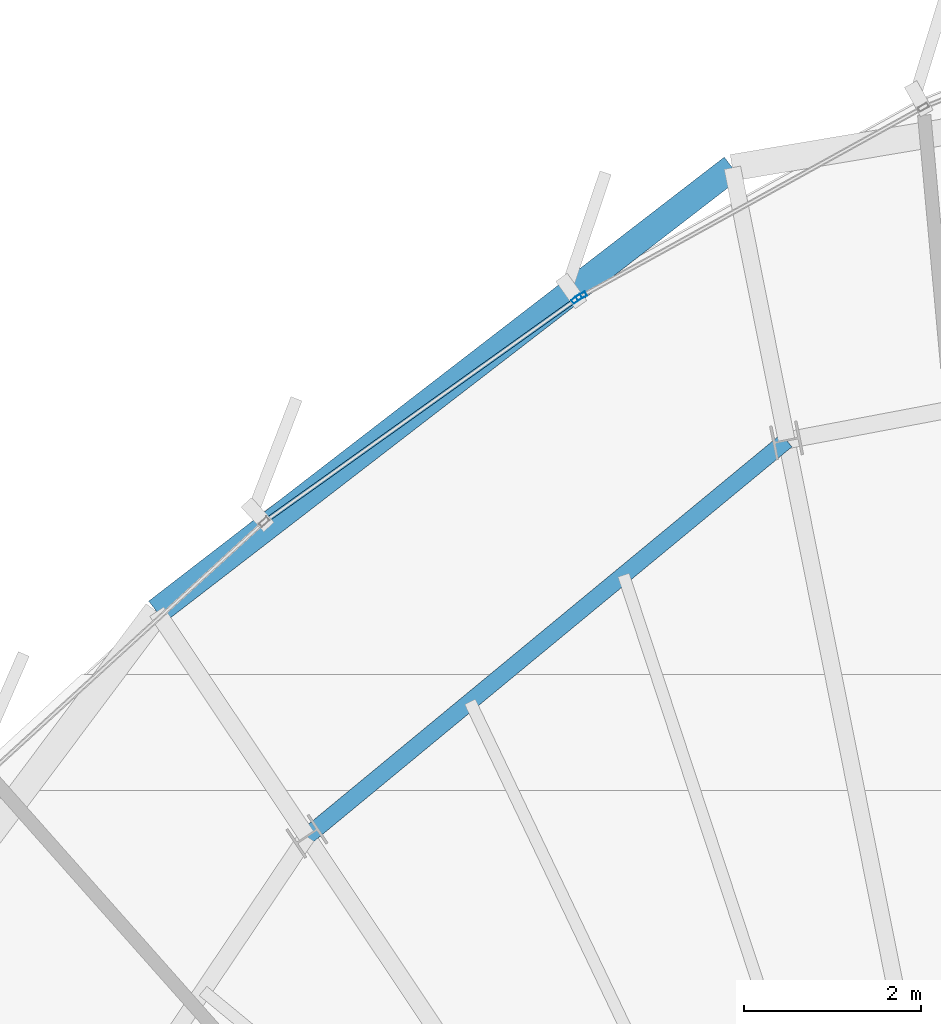
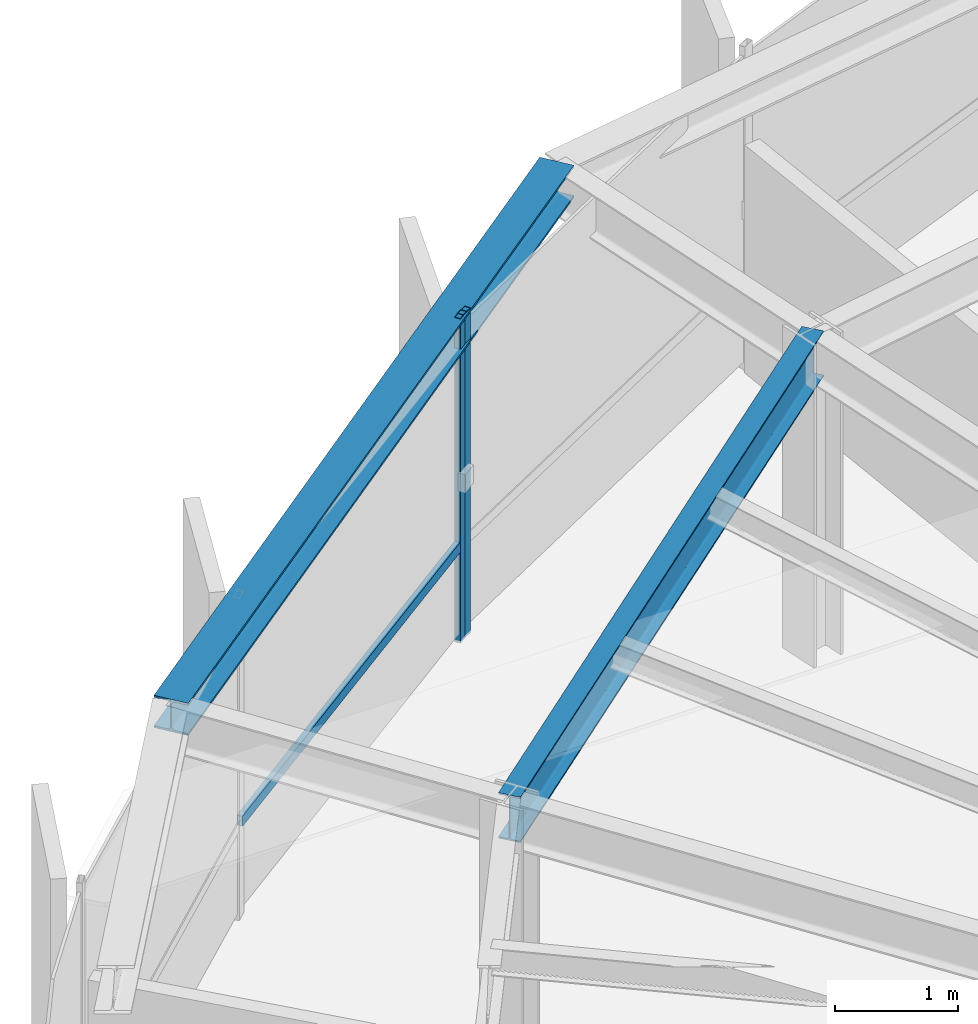
# One storey, part 19 of 32: 3 members, 2 beams, 2 elements without a shape of their own.
"""IFC4 building model written with IfcOpenShell, lengths in metres."""

import ifcopenshell
import ifcopenshell.guid

model = None  # the IFC model being written
_history = None  # IfcOwnerHistory: only IFC2X3 demands one
_inside = {}  # id of a spatial element -> (the spatial element, [elements in it])
_under = {}  # id of a project, library or spatial element -> (it, [spatial elements below it])
_declared = {}  # id of a project -> (the project, [libraries it declares])
_typed = {}  # id of a type object -> (the type object, [elements of that type])
_made_of = {}  # id of a material, layer set ... -> (it, [elements and type objects made of it])


def new_model(schema):
    """Start an empty IFC model of exactly this schema.

    Asked for "IFC4X3", IfcOpenShell would pick the latest addendum, in which some entities
    have other attributes; the version numbers below select the first issue.
    IFC2X3 requires an IfcOwnerHistory on every rooted entity: one is made here for all.
    """
    global model, _history
    if schema == "IFC4X3":
        model = ifcopenshell.file(schema_version=(4, 3, 0, 0))
    else:
        model = ifcopenshell.file(schema=schema)
    _inside.clear()
    _under.clear()
    _declared.clear()
    _typed.clear()
    _made_of.clear()
    _history = None
    if model.schema == "IFC2X3":
        org = make("IfcOrganization", Name="unknown")
        user = make(
            "IfcPersonAndOrganization",
            ThePerson=make("IfcPerson", FamilyName="unknown"),
            TheOrganization=org,
        )
        app = make(
            "IfcApplication",
            ApplicationDeveloper=org,
            Version="unknown",
            ApplicationFullName="unknown",
            ApplicationIdentifier="unknown",
        )
        _history = make(
            "IfcOwnerHistory",
            OwningUser=user,
            OwningApplication=app,
            ChangeAction="ADDED",
            CreationDate=0,
        )
    return model


def make(cls, **values):
    """One entity of the class cls with the attributes given. An attribute that is None is left unset."""
    return model.create_entity(
        cls, **{name: value for name, value in values.items() if value is not None}
    )


def rooted(cls, **values):
    """An entity with a GlobalId (a new one), such as an element, a storey or a relation."""
    return make(cls, GlobalId=ifcopenshell.guid.new(), OwnerHistory=_history, **values)


def si_unit(unit_type, name, prefix=None):
    """IfcSIUnit, for example si_unit("LENGTHUNIT", "METRE", prefix="MILLI")."""
    return make("IfcSIUnit", UnitType=unit_type, Prefix=prefix, Name=name)


def assignment(units):
    """IfcUnitAssignment: the units of a project."""
    return None if units is None else make("IfcUnitAssignment", Units=units)


def point(xyz):
    """IfcCartesianPoint."""
    return None if xyz is None else make("IfcCartesianPoint", Coordinates=xyz)


def direction(xyz):
    """IfcDirection."""
    return None if xyz is None else make("IfcDirection", DirectionRatios=xyz)


def frame(location, z_axis=None, x_axis=None):
    """IfcAxis2Placement3D, a coordinate frame: its origin and axes. An axis left out is left unset."""
    return make(
        "IfcAxis2Placement3D",
        Location=point(location),
        Axis=direction(z_axis),
        RefDirection=direction(x_axis),
    )


def frame_2d(location, x_axis=None):
    """IfcAxis2Placement2D, a coordinate frame in the plane: its origin and x axis."""
    return make(
        "IfcAxis2Placement2D", Location=point(location), RefDirection=direction(x_axis)
    )


def origin():
    """The frame at (0, 0, 0) with its axes left unset."""
    return frame((0.0, 0.0, 0.0))


def origin_2d():
    """The frame at (0, 0) in the plane with its x axis left unset."""
    return frame_2d((0.0, 0.0))


def place(relative_to, where):
    """IfcLocalPlacement: puts the frame where relative to a parent placement (None: the world)."""
    return make(
        "IfcLocalPlacement", PlacementRelTo=relative_to, RelativePlacement=where
    )


def context(
    kind, dimensions, precision=None, world=None, true_north=None, identifier=None
):
    """IfcGeometricRepresentationContext, for example the 3D "Model" context."""
    return make(
        "IfcGeometricRepresentationContext",
        ContextIdentifier=identifier,
        ContextType=kind,
        CoordinateSpaceDimension=dimensions,
        Precision=precision,
        WorldCoordinateSystem=world,
        TrueNorth=true_north,
    )


def subcontext(parent, identifier, kind, view, scale=None):
    """IfcGeometricRepresentationSubContext, for example "Body" below "Model"."""
    return make(
        "IfcGeometricRepresentationSubContext",
        ContextIdentifier=identifier,
        ContextType=kind,
        ParentContext=parent,
        TargetScale=scale,
        TargetView=view,
    )


def project(units=None, contexts=None):
    """IfcProject with its units and contexts."""
    return rooted(
        "IfcProject",
        Name="project",
        RepresentationContexts=contexts,
        UnitsInContext=assignment(units),
    )


def spatial(cls, under=None, at=None, **own):
    """A site, building, storey or space (cls), placed at a placement, below another one or the project."""
    s = rooted(cls, ObjectPlacement=at, **own)
    if under is not None:
        _under.setdefault(under.id(), (under, []))[1].append(s)
    return s


def profile(cls, at=None, kind="AREA", **sizes):
    """A parametric profile (cls). Its sizes go by their IFC names, for example OverallWidth=200.0."""
    return make(cls, ProfileType=kind, Position=at, **sizes)


def hollow_rectangle(**sizes):
    """IfcRectangleHollowProfileDef."""
    return profile("IfcRectangleHollowProfileDef", **sizes)


def i_section(**sizes):
    """IfcIShapeProfileDef."""
    return profile("IfcIShapeProfileDef", **sizes)


def extrude(swept, where, along, depth):
    """IfcExtrudedAreaSolid: the profile swept, set in the frame where, extruded along a direction by depth."""
    return make(
        "IfcExtrudedAreaSolid",
        SweptArea=swept,
        Position=where,
        ExtrudedDirection=direction(along),
        Depth=depth,
    )


def shape(context_of_items, identifier, shape_type, items):
    """IfcShapeRepresentation: the items that make up one representation, for example the "Body"."""
    return make(
        "IfcShapeRepresentation",
        ContextOfItems=context_of_items,
        RepresentationIdentifier=identifier,
        RepresentationType=shape_type,
        Items=items,
    )


def source(mapping_origin, context_of_items, identifier, shape_type, items):
    """IfcRepresentationMap: a shape defined once, which mapped items show again and again."""
    return make(
        "IfcRepresentationMap",
        MappingOrigin=mapping_origin,
        MappedRepresentation=shape(context_of_items, identifier, shape_type, items),
    )


def transform(
    local_origin,
    x_axis=None,
    y_axis=None,
    z_axis=None,
    scale=None,
    scale2=None,
    scale3=None,
    uniform=True,
):
    """IfcCartesianTransformationOperator3D, or its non-uniform kind. x_axis, y_axis, z_axis: its Axis1, 2, 3."""
    if uniform:
        return make(
            "IfcCartesianTransformationOperator3D",
            Axis1=direction(x_axis),
            Axis2=direction(y_axis),
            LocalOrigin=point(local_origin),
            Scale=scale,
            Axis3=direction(z_axis),
        )
    return make(
        "IfcCartesianTransformationOperator3DnonUniform",
        Axis1=direction(x_axis),
        Axis2=direction(y_axis),
        LocalOrigin=point(local_origin),
        Scale=scale,
        Axis3=direction(z_axis),
        Scale2=scale2,
        Scale3=scale3,
    )


def mapped(mapping_source, mapping_target):
    """IfcMappedItem: shows the shape of a source again, moved by a transform."""
    return make(
        "IfcMappedItem", MappingSource=mapping_source, MappingTarget=mapping_target
    )


def material(Name=None, Category=None):
    """IfcMaterial."""
    return make("IfcMaterial", Name=Name, Category=Category)


def layer(
    of_material, thickness, ventilated=None, Name=None, Category=None, Priority=None
):
    """IfcMaterialLayer: one layer of a wall or slab, of a material (None: an air gap)."""
    return make(
        "IfcMaterialLayer",
        Material=of_material,
        LayerThickness=thickness,
        IsVentilated=ventilated,
        Name=Name,
        Category=Category,
        Priority=Priority,
    )


def layer_set(layers, Name=None):
    """IfcMaterialLayerSet."""
    return make("IfcMaterialLayerSet", MaterialLayers=layers, LayerSetName=Name)


def material_profile(
    of_material, cross_section, Name=None, Category=None, Priority=None
):
    """IfcMaterialProfile: a cross section and its material."""
    return make(
        "IfcMaterialProfile",
        Name=Name,
        Material=of_material,
        Profile=cross_section,
        Priority=Priority,
        Category=Category,
    )


def profile_set(profiles, Name=None, composite=None):
    """IfcMaterialProfileSet."""
    return make(
        "IfcMaterialProfileSet",
        Name=Name,
        MaterialProfiles=profiles,
        CompositeProfile=composite,
    )


def made_of(thing, what):
    """Note that an element or type object is made of a material, layer set ...; save() writes the relation."""
    if what is not None:
        _made_of.setdefault(what.id(), (what, []))[1].append(thing)
    return thing


def type_object(cls, material=None, **own):
    """A type object (cls), such as IfcWallType, which elements share."""
    return made_of(rooted(cls, **own), material)


def element(
    cls,
    number,
    at=None,
    inside=None,
    cuts=None,
    type_object=None,
    material=None,
    context=None,
    identifier="Body",
    shape_type=None,
    held_by="IfcProductDefinitionShape",
    body=None,
    shapes=None,
    **own,
):
    """One element of the class cls, such as IfcWall. Its Tag is "e" and its number.

    at: its placement. inside: the storey or other place that contains it. cuts: it is an
    opening in that element (IfcRelVoidsElement). A single representation is given by context,
    identifier, shape_type and body (its items); several are given by shapes. held_by: the class
    of the entity that holds the representations. save() writes the other relations.
    """
    e = rooted(cls, Tag="e%d" % number, ObjectPlacement=at, **own)
    if body is not None:
        shapes = [shape(context, identifier, shape_type, body)]
    if shapes is not None:
        e.Representation = make(held_by, Representations=shapes)
    if inside is not None:
        _inside.setdefault(inside.id(), (inside, []))[1].append(e)
    if cuts is not None:
        rooted(
            "IfcRelVoidsElement", RelatingBuildingElement=cuts, RelatedOpeningElement=e
        )
    if type_object is not None:
        _typed.setdefault(type_object.id(), (type_object, []))[1].append(e)
    return made_of(e, material)


def aggregate(whole, parts):
    """IfcRelAggregates: a whole, such as a stair, and the parts it consists of."""
    return rooted("IfcRelAggregates", RelatingObject=whole, RelatedObjects=parts)


def save(model, path):
    """Write the relations noted so far, then the file.

    IfcRelAggregates (storeys below a building ...), IfcRelContainedInSpatialStructure (elements
    in a storey), IfcRelDefinesByType, IfcRelAssociatesMaterial and IfcRelDeclares: one each for
    every whole, place, type object, material and project.
    """
    for whole, parts in _under.values():
        aggregate(whole, parts)
    for where, things in _inside.values():
        rooted(
            "IfcRelContainedInSpatialStructure",
            RelatedElements=things,
            RelatingStructure=where,
        )
    for kind, things in _typed.values():
        rooted("IfcRelDefinesByType", RelatedObjects=things, RelatingType=kind)
    for what, things in _made_of.values():
        rooted("IfcRelAssociatesMaterial", RelatedObjects=things, RelatingMaterial=what)
    for by, libraries in _declared.values():
        rooted("IfcRelDeclares", RelatingContext=by, RelatedDefinitions=libraries)
    model.write(path)


model = new_model("IFC4")

# Units and contexts
model_context = context("Model", 3, precision=1e-05, world=origin(), true_north=direction((0.0, 1.0)))
body_context = subcontext(model_context, "Body", "Model", "MODEL_VIEW")
ifc_project = project(units=[si_unit("LENGTHUNIT", "METRE"), si_unit("AREAUNIT", "SQUARE_METRE"), si_unit("VOLUMEUNIT", "CUBIC_METRE"), si_unit("PLANEANGLEUNIT", "RADIAN"), si_unit("MASSUNIT", "GRAM", prefix="KILO"), si_unit("THERMODYNAMICTEMPERATUREUNIT", "KELVIN")], contexts=[model_context])

# Site, building, storey
site_placement = place(None, origin())
site = spatial("IfcSite", under=ifc_project, at=site_placement, CompositionType="ELEMENT")
building_placement = place(site_placement, origin())
building = spatial("IfcBuilding", under=site, at=building_placement, Name="Kethvar Cultural Tower", CompositionType="ELEMENT")
storey_placement = place(building_placement, frame((0.0, 0.0, 252.550048828125)))
storey = spatial("IfcBuildingStorey", under=building, at=storey_placement, Name="L66", CompositionType="ELEMENT", Elevation=252.550048828125)

# Beams
ifc_material_1 = material(Name="Steel S355J2", Category="steel")
ifc_material_profile_1 = material_profile(ifc_material_1, i_section(OverallWidth=0.18994140625, OverallDepth=0.449951171875, WebThickness=0.009521484375, FlangeThickness=0.0146484375, FilletRadius=0.02099609375, at=origin_2d()), Name="Steel S355J2 — IPE450")
ifc_profile_set_1 = profile_set([ifc_material_profile_1], Name="Steel S355J2 — IPE450")
beam_type_1 = type_object("IfcBeamType", Name="BM-IPE450", PredefinedType="BEAM", material=ifc_profile_set_1)
shared_shape_1 = source(origin(), body_context, "Body", "SweptSolid", [
    extrude(i_section(OverallWidth=0.18994140625, OverallDepth=0.449951171875, WebThickness=0.009521484375, FlangeThickness=0.0146484375, FilletRadius=0.02099609375, at=origin_2d()), origin(), (0.0, 0.0, 1.0), 7.03271484375),
])
beam_1_placement = place(storey_placement, frame((43.23291015625, 45.732421875, 2.98291015625), z_axis=(-0.771161072103, -0.636640087391, 0.0), x_axis=(0.636640087391, -0.771161072103, 0.0)))
element("IfcBeam", 1, at=beam_1_placement, inside=storey, type_object=beam_type_1, Name="L66 Column Ring Tie Beam CR-05", PredefinedType="BEAM", context=body_context, shape_type="MappedRepresentation", body=[
    mapped(shared_shape_1, transform((0.0, 0.0, 0.0), scale=1.0)),
])
ifc_material_profile_2 = material_profile(ifc_material_1, i_section(OverallWidth=0.300048828125, OverallDepth=0.320068359375, WebThickness=0.011474609375, FlangeThickness=0.0205078125, FilletRadius=0.027099609375, at=origin_2d()), Name="Steel S355J2 — HEB320")
ifc_profile_set_2 = profile_set([ifc_material_profile_2], Name="Steel S355J2 — HEB320")
beam_type_2 = type_object("IfcBeamType", Name="BM-SP320", PredefinedType="SPANDREL", material=ifc_profile_set_2)
shared_shape_2 = source(origin(), body_context, "Body", "SweptSolid", [
    extrude(i_section(OverallWidth=0.300048828125, OverallDepth=0.320068359375, WebThickness=0.011474609375, FlangeThickness=0.0205078125, FilletRadius=0.027099609375, at=origin_2d()), origin(), (0.0, 0.0, 1.0), 8.218994140625),
])
beam_2_placement = place(storey_placement, frame((42.61962890625, 48.81591796875, 3.0478515625), z_axis=(-0.791799494116, -0.610781107368, 0.0), x_axis=(0.610781107368, -0.791799494116, 0.0)))
element("IfcBeam", 2, at=beam_2_placement, inside=storey, type_object=beam_type_2, Name="L66 Perimeter Spandrel Beam SP-05", PredefinedType="SPANDREL", context=body_context, shape_type="MappedRepresentation", body=[
    mapped(shared_shape_2, transform((0.0, 0.0, 0.0), scale=1.0)),
])

# Curtain wall, member
ifc_material_2 = material(Name="Aluminium 6063-T6", Category="aluminium")
ifc_layer = layer(ifc_material_2, 0.179931640625, Name="Aluminium 6063-T6", Category="aluminium")
ifc_layer_set = layer_set([ifc_layer], Name="Aluminium 6063-T6 (180 mm)")
curtain_wall_type = type_object("IfcCurtainWallType", Name="CW-SYS-05-Z56", PredefinedType="NOTDEFINED", material=ifc_layer_set)
curtain_wall_1_placement = place(storey_placement, origin())
curtain_wall_1 = element("IfcCurtainWall", 3, at=curtain_wall_1_placement, inside=storey, type_object=curtain_wall_type, Name="L66 Curtain Wall Run 01", PredefinedType="NOTDEFINED")
ifc_material_profile_3 = material_profile(ifc_material_2, hollow_rectangle(XDim=0.054931640625, YDim=0.1201171875, WallThickness=0.00390625, at=origin_2d()), Name="Aluminium 6063-T6 — RHS120x55x4")
ifc_profile_set_3 = profile_set([ifc_material_profile_3], Name="Aluminium 6063-T6 — RHS120x55x4")
member_type_1 = type_object("IfcMemberType", Name="CW-SYS-05-Z56-MUL", PredefinedType="MULLION", material=ifc_profile_set_3)
shared_shape_3 = source(origin(), body_context, "Body", "SweptSolid", [
    extrude(hollow_rectangle(XDim=0.054931640625, YDim=0.1201171875, WallThickness=0.00390625, at=origin_2d()), origin(), (0.0, 0.0, 1.0), 3.2099609375),
])
member_1_placement = place(storey_placement, frame((40.911865234375, 47.36376953125, 0.0), z_axis=(0.0, 0.0, 1.0), x_axis=(0.483236543377, -0.875489830406, 0.0)))
member_1 = element("IfcMember", 4, at=member_1_placement, type_object=member_type_1, Name="CW-L66-R01 Mullion 7", PredefinedType="MULLION", context=body_context, shape_type="MappedRepresentation", body=[
    mapped(shared_shape_3, transform((0.0, 0.0, 0.0), scale=1.0)),
])
aggregate(curtain_wall_1, [member_1])

# Curtain wall, members
curtain_wall_2_placement = place(storey_placement, origin())
curtain_wall_2 = element("IfcCurtainWall", 5, at=curtain_wall_2_placement, inside=storey, type_object=curtain_wall_type, Name="L66 Curtain Wall Run 02", PredefinedType="NOTDEFINED")
member_2_placement = place(storey_placement, frame((40.861328125, 47.331787109375, 0.0), z_axis=(0.0, 0.0, 1.0), x_axis=(0.580788206504, -0.814054702821, 0.0)))
member_2 = element("IfcMember", 6, at=member_2_placement, type_object=member_type_1, Name="CW-L66-R02 Mullion 1", PredefinedType="MULLION", context=body_context, shape_type="MappedRepresentation", body=[
    mapped(shared_shape_3, transform((0.0, 0.0, 0.0), scale=1.0)),
])
ifc_material_profile_4 = material_profile(ifc_material_2, hollow_rectangle(XDim=0.050048828125, YDim=0.10009765625, WallThickness=0.00390625, at=origin_2d()), Name="Aluminium 6063-T6 — RHS100x50x4")
ifc_profile_set_4 = profile_set([ifc_material_profile_4], Name="Aluminium 6063-T6 — RHS100x50x4")
member_type_2 = type_object("IfcMemberType", Name="CW-SYS-05-Z56-TRN", PredefinedType="USERDEFINED", material=ifc_profile_set_4)
shared_shape_4 = source(origin(), body_context, "Body", "SweptSolid", [
    extrude(hollow_rectangle(XDim=0.050048828125, YDim=0.10009765625, WallThickness=0.00390625, at=origin_2d()), origin(), (0.0, 0.0, 1.0), 4.31005859375),
])
member_3_placement = place(storey_placement, frame((40.858154296875, 47.32958984375, 0.949951171875), z_axis=(-0.814054849145, -0.580788001411, 0.0), x_axis=(0.580788001411, -0.814054849145, 0.0)))
member_3 = element("IfcMember", 7, at=member_3_placement, type_object=member_type_2, Name="CW-L66-R02 Transom 1", ObjectType="TRANSOM", PredefinedType="USERDEFINED", context=body_context, shape_type="MappedRepresentation", body=[
    mapped(shared_shape_4, transform((0.0, 0.0, 0.0), scale=1.0)),
])
aggregate(curtain_wall_2, [member_2, member_3])

save(model, "model.ifc")
